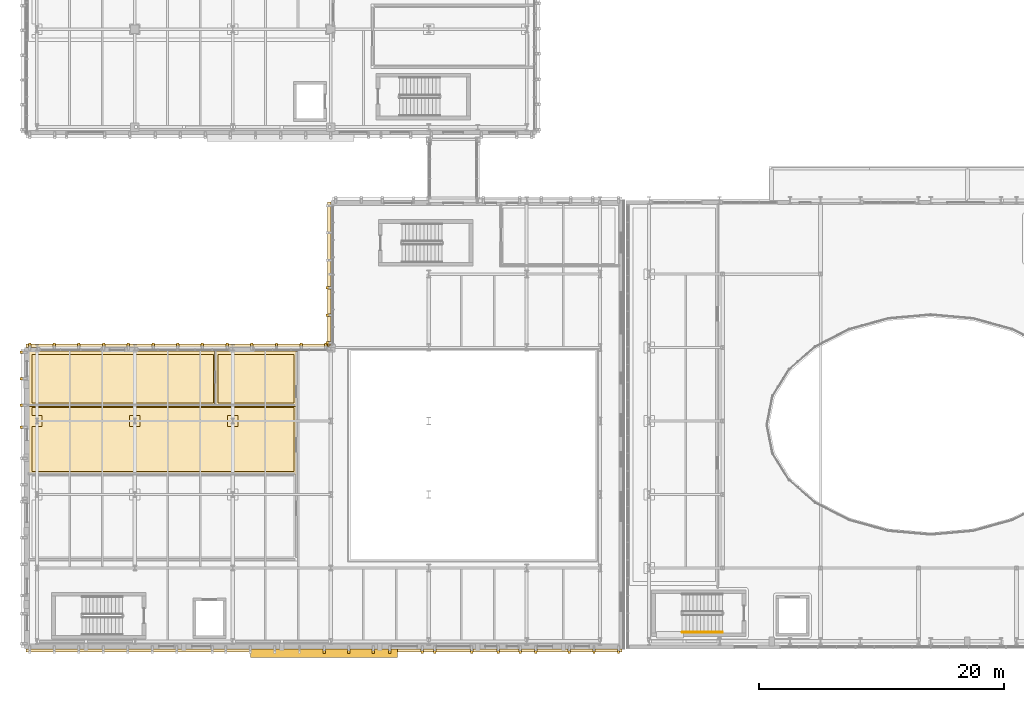
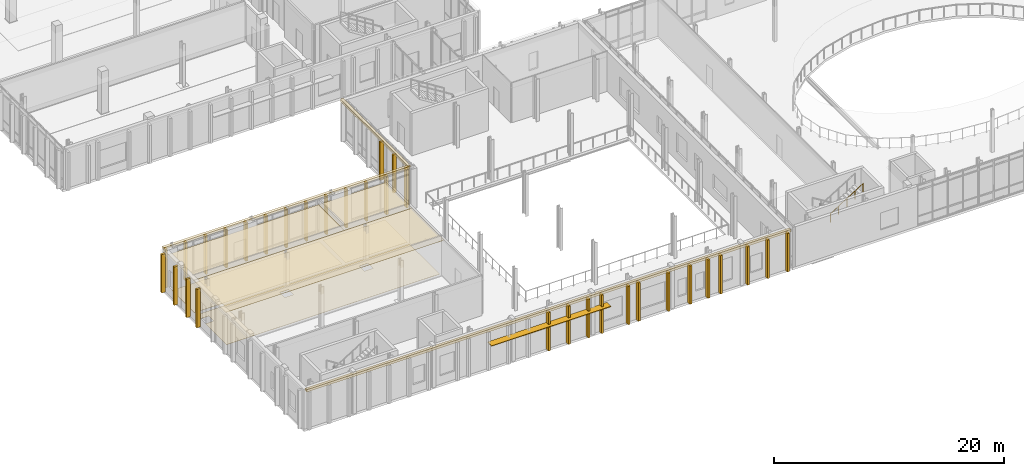
# One storey, part 80 of 100: 42 coverings, 1 railing, 1 shading device.
"""IFC4 building model written with IfcOpenShell, lengths in metres."""

from ifc_helpers import new_model, si_unit, direction, frame, origin, origin_2d, place, context, subcontext, project, spatial, polyline, rectangle, circle, outline, extrude, material, layer, layer_set, type_object, element, save


model = new_model("IFC4")

# Units and contexts
model_context = context("Model", 3, precision=1e-05, world=origin(), true_north=direction((0.0, 1.0)))
body_context = subcontext(model_context, "Body", "Model", "MODEL_VIEW")
ifc_project = project(units=[si_unit("LENGTHUNIT", "METRE"), si_unit("AREAUNIT", "SQUARE_METRE"), si_unit("VOLUMEUNIT", "CUBIC_METRE"), si_unit("PLANEANGLEUNIT", "RADIAN"), si_unit("MASSUNIT", "GRAM", prefix="KILO")], contexts=[model_context])

# Site, building, storey
site_placement = place(None, origin())
site = spatial("IfcSite", under=ifc_project, at=site_placement, CompositionType="ELEMENT")
building_placement = place(site_placement, origin())
building = spatial("IfcBuilding", under=site, at=building_placement, Name="Cymarion Research Institute", CompositionType="ELEMENT")
storey_placement = place(building_placement, frame((0.0, 0.0, 4.800048828125)))
storey = spatial("IfcBuildingStorey", under=building, at=storey_placement, Name="L01", CompositionType="ELEMENT", Elevation=4.800048828125)

# Coverings
ifc_material_1 = material(Name="Micro-perforated mineral acoustic ceiling tile", Category="gypsum")
ifc_layer_1 = layer(ifc_material_1, 0.030029296875)
ifc_layer_set_1 = layer_set([ifc_layer_1], Name="Micro-perforated mineral acoustic ceiling tile")
covering_type_1 = type_object("IfcCoveringType", Name="ACOUSTIC MICRO-PERFORATED SUSPENDED CEILING CLG-01", PredefinedType="CEILING", material=ifc_layer_set_1)
covering_1_placement = place(storey_placement, frame((0.0, 0.0, 3.699951171875)))
element("IfcCovering", 1, at=covering_1_placement, inside=storey, type_object=covering_type_1, Name="L01 L01 Computational & Optics Teaching Lab B acoustic ceiling", PredefinedType="CEILING", context=body_context, shape_type="SweptSolid", body=[
    extrude(outline(polyline([(27.9150390625, 24.9150390625), (27.9150390625, 19.0849609375), (5.885009765625, 19.0849609375), (5.885009765625, 24.9150390625), (27.9150390625, 24.9150390625)])), origin(), (0.0, 0.0, 1.0), 0.030029296875),
])
covering_2_placement = place(storey_placement, frame((0.0, 0.0, 3.699951171875)))
element("IfcCovering", 2, at=covering_2_placement, inside=storey, type_object=covering_type_1, Name="L01 L01 Symposium Cloakroom & Teaching Prep Store acoustic ceiling", PredefinedType="CEILING", context=body_context, shape_type="SweptSolid", body=[
    extrude(outline(polyline([(21.31494140625, 29.215087890625), (21.31494140625, 24.68505859375), (5.885009765625, 24.68505859375), (5.885009765625, 29.215087890625), (21.31494140625, 29.215087890625)])), origin(), (0.0, 0.0, 1.0), 0.030029296875),
])
covering_3_placement = place(storey_placement, frame((0.0, 0.0, 3.699951171875)))
element("IfcCovering", 3, at=covering_3_placement, inside=storey, type_object=covering_type_1, Name="L01 L01 V3 Accessible WC acoustic ceiling", PredefinedType="CEILING", context=body_context, shape_type="SweptSolid", body=[
    extrude(outline(polyline([(27.9150390625, 29.215087890625), (27.9150390625, 24.68505859375), (21.0849609375, 24.68505859375), (21.0849609375, 29.215087890625), (27.9150390625, 29.215087890625)])), origin(), (0.0, 0.0, 1.0), 0.030029296875),
])

# Shading device
ifc_material_2 = material(Name="Anodised aluminium aerofoil sunshade", Category="aluminium")
ifc_layer_2 = layer(ifc_material_2, 0.06005859375)
ifc_layer_set_2 = layer_set([ifc_layer_2], Name="Anodised aluminium aerofoil sunshade")
shading_device_type = type_object("IfcShadingDeviceType", Name="ANODISED ALUMINIUM HORIZONTAL SUNSHADE SHD1 700MM", PredefinedType="AWNING", material=ifc_layer_set_2)
shading_device_placement = place(storey_placement, frame((30.050048828125, 4.548095703125, 2.7900390625), z_axis=(0.0, 0.0, 1.0), x_axis=(0.0, -1.0, 0.0)))
element("IfcShadingDevice", 4, at=shading_device_placement, inside=storey, type_object=shading_device_type, Name="L01 V3 south aluminium sunshade SHD1 #1", PredefinedType="AWNING", context=body_context, shape_type="SweptSolid", body=[
    extrude(rectangle(XDim=0.699951171875, YDim=12.0, at=origin_2d()), origin(), (0.0, 0.0, 1.0), 0.06005859375),
])

# Coverings
ifc_material_3 = material(Name="Precast concrete C45/55 architectural white", Category="concrete")
ifc_layer_3 = layer(ifc_material_3, 0.260009765625)
ifc_layer_set_3 = layer_set([ifc_layer_3], Name="Precast concrete C45/55 architectural white")
covering_type_2 = type_object("IfcCoveringType", Name="SCULPTURAL WHITE PRECAST CONCRETE SPANDREL BROW BAND RIB2 280MM", PredefinedType="CLADDING", material=ifc_layer_set_3)
covering_4_placement = place(storey_placement, frame((30.050048828125, 4.758056640625, 4.08984375), z_axis=(0.0, 0.0, 1.0), x_axis=(0.0, -1.0, 0.0)))
element("IfcCovering", 5, at=covering_4_placement, inside=storey, type_object=covering_type_2, Name="L01 V3 precast spandrel brow band RIB2 #218", PredefinedType="CLADDING", context=body_context, shape_type="SweptSolid", body=[
    extrude(rectangle(XDim=0.280029296875, YDim=48.659912109375, at=origin_2d()), origin(), (0.0, 0.0, 1.0), 0.260009765625),
])
covering_5_placement = place(storey_placement, frame((30.4580078125, 35.5, 4.08984375), z_axis=(0.0, 0.0, 1.0), x_axis=(-1.0, 0.0, 0.0)))
element("IfcCovering", 6, at=covering_5_placement, inside=storey, type_object=covering_type_2, Name="L01 V3 precast spandrel brow band RIB2 #255", PredefinedType="CLADDING", context=body_context, shape_type="SweptSolid", body=[
    extrude(rectangle(XDim=0.280029296875, YDim=11.760009765625, at=origin_2d()), origin(), (0.0, 0.0, 1.0), 0.260009765625),
])
covering_6_placement = place(storey_placement, frame((18.10009765625, 29.64208984375, 4.08984375), z_axis=(0.0, 0.0, 1.0), x_axis=(0.0, 1.0, 0.0)))
element("IfcCovering", 7, at=covering_6_placement, inside=storey, type_object=covering_type_2, Name="L01 V3 precast spandrel brow band RIB2 #262", PredefinedType="CLADDING", context=body_context, shape_type="SweptSolid", body=[
    extrude(rectangle(XDim=0.280029296875, YDim=24.760009765625, at=origin_2d()), origin(), (0.0, 0.0, 1.0), 0.260009765625),
])
ifc_layer_4 = layer(ifc_material_3, 0.199951171875)
ifc_layer_set_4 = layer_set([ifc_layer_4], Name="Precast concrete C45/55 architectural white")
covering_type_3 = type_object("IfcCoveringType", Name="SCULPTURAL WHITE PRECAST CONCRETE VERTICAL RIB RIB1 380X200", PredefinedType="CLADDING", material=ifc_layer_set_4)
for number, where, z_axis, x_axis, name in (
    (8, (30.050048828125, 4.7080078125, 0.009765625), (0.0, 0.0, 1.0), (0.0, -1.0, 0.0), "L01 V3 sculptural precast vertical rib RIB1 #231"),
    (9, (32.05419921875, 4.7080078125, 0.009765625), (0.0, 0.0, 1.0), (0.0, -1.0, 0.0), "L01 V3 sculptural precast vertical rib RIB1 #232"),
    (10, (34.058349609375, 4.7080078125, 0.009765625), (0.0, 0.0, 1.0), (0.0, -1.0, 0.0), "L01 V3 sculptural precast vertical rib RIB1 #233"),
    (11, (35.39990234375, 4.7080078125, 0.009765625), (0.0, 0.0, 1.0), (0.0, -1.0, 0.0), "L01 V3 sculptural precast vertical rib RIB1 #234"),
    (12, (38.066650390625, 4.7080078125, 0.009765625), (0.0, 0.0, 1.0), (0.0, -1.0, 0.0), "L01 V3 sculptural precast vertical rib RIB1 #235"),
    (13, (39.10009765625, 4.7080078125, 0.009765625), (0.0, 0.0, 1.0), (0.0, -1.0, 0.0), "L01 V3 sculptural precast vertical rib RIB1 #236"),
    (14, (42.10009765625, 4.7080078125, 0.009765625), (0.0, 0.0, 1.0), (0.0, -1.0, 0.0), "L01 V3 sculptural precast vertical rib RIB1 #237"),
    (15, (44.27001953125, 4.7080078125, 0.009765625), (0.0, 0.0, 1.0), (0.0, -1.0, 0.0), "L01 V3 sculptural precast vertical rib RIB1 #238"),
    (16, (46.083251953125, 4.7080078125, 0.009765625), (0.0, 0.0, 1.0), (0.0, -1.0, 0.0), "L01 V3 sculptural precast vertical rib RIB1 #239"),
    (17, (47.35009765625, 4.7080078125, 0.009765625), (0.0, 0.0, 1.0), (0.0, -1.0, 0.0), "L01 V3 sculptural precast vertical rib RIB1 #240"),
    (18, (50.091796875, 4.7080078125, 0.009765625), (0.0, 0.0, 1.0), (0.0, -1.0, 0.0), "L01 V3 sculptural precast vertical rib RIB1 #241"),
    (19, (52.095703125, 4.7080078125, 0.009765625), (0.0, 0.0, 1.0), (0.0, -1.0, 0.0), "L01 V3 sculptural precast vertical rib RIB1 #242"),
    (20, (54.10009765625, 4.7080078125, 0.009765625), (0.0, 0.0, 1.0), (0.0, -1.0, 0.0), "L01 V3 sculptural precast vertical rib RIB1 #243"),
    (21, (30.407958984375, 34.3798828125, 0.009765625), (0.0, 0.0, 1.0), (-1.0, 0.0, 0.0), "L01 V3 sculptural precast vertical rib RIB1 #259"),
    (22, (30.407958984375, 32.139892578125, 0.009765625), (0.0, 0.0, 1.0), (-1.0, 0.0, 0.0), "L01 V3 sculptural precast vertical rib RIB1 #260"),
    (23, (30.407958984375, 29.89990234375, 0.009765625), (0.0, 0.0, 1.0), (-1.0, 0.0, 0.0), "L01 V3 sculptural precast vertical rib RIB1 #261"),
    (24, (30.199951171875, 29.69189453125, 0.009765625), (0.0, 0.0, 1.0), (0.0, 1.0, 0.0), "L01 V3 sculptural precast vertical rib RIB1 #263"),
    (25, (28.183349609375, 29.69189453125, 0.009765625), (0.0, 0.0, 1.0), (0.0, 1.0, 0.0), "L01 V3 sculptural precast vertical rib RIB1 #264"),
    (26, (26.166748046875, 29.69189453125, 0.009765625), (0.0, 0.0, 1.0), (0.0, 1.0, 0.0), "L01 V3 sculptural precast vertical rib RIB1 #265"),
    (27, (24.14990234375, 29.69189453125, 0.009765625), (0.0, 0.0, 1.0), (0.0, 1.0, 0.0), "L01 V3 sculptural precast vertical rib RIB1 #266"),
    (28, (22.13330078125, 29.69189453125, 0.009765625), (0.0, 0.0, 1.0), (0.0, 1.0, 0.0), "L01 V3 sculptural precast vertical rib RIB1 #267"),
    (29, (20.11669921875, 29.69189453125, 0.009765625), (0.0, 0.0, 1.0), (0.0, 1.0, 0.0), "L01 V3 sculptural precast vertical rib RIB1 #268"),
    (30, (18.10009765625, 29.69189453125, 0.009765625), (0.0, 0.0, 1.0), (0.0, 1.0, 0.0), "L01 V3 sculptural precast vertical rib RIB1 #269"),
    (31, (16.083251953125, 29.69189453125, 0.009765625), (0.0, 0.0, 1.0), (0.0, 1.0, 0.0), "L01 V3 sculptural precast vertical rib RIB1 #270"),
    (32, (14.066650390625, 29.69189453125, 0.009765625), (0.0, 0.0, 1.0), (0.0, 1.0, 0.0), "L01 V3 sculptural precast vertical rib RIB1 #271"),
    (33, (12.050048828125, 29.69189453125, 0.009765625), (0.0, 0.0, 1.0), (0.0, 1.0, 0.0), "L01 V3 sculptural precast vertical rib RIB1 #272"),
    (34, (10.033203125, 29.69189453125, 0.009765625), (0.0, 0.0, 1.0), (0.0, 1.0, 0.0), "L01 V3 sculptural precast vertical rib RIB1 #273"),
    (35, (8.0166015625, 29.69189453125, 0.009765625), (0.0, 0.0, 1.0), (0.0, 1.0, 0.0), "L01 V3 sculptural precast vertical rib RIB1 #274"),
    (36, (6.0, 29.69189453125, 0.009765625), (0.0, 0.0, 1.0), (0.0, 1.0, 0.0), "L01 V3 sculptural precast vertical rib RIB1 #275"),
    (37, (5.407958984375, 29.10009765625, 0.009765625), (0.0, 0.0, 1.0), (-1.0, 0.0, 0.0), "L01 V3 sculptural precast vertical rib RIB1 #277"),
    (38, (5.407958984375, 26.936279296875, 0.009765625), (0.0, 0.0, 1.0), (-1.0, 0.0, 0.0), "L01 V3 sculptural precast vertical rib RIB1 #278"),
    (39, (5.407958984375, 24.772705078125, 0.009765625), (0.0, 0.0, 1.0), (-1.0, 0.0, 0.0), "L01 V3 sculptural precast vertical rib RIB1 #279"),
    (40, (5.407958984375, 22.97998046875, 0.009765625), (0.0, 0.0, 1.0), (-1.0, 0.0, 0.0), "L01 V3 sculptural precast vertical rib RIB1 #280"),
):
    element("IfcCovering", number, at=place(storey_placement, frame(where, z_axis=z_axis, x_axis=x_axis)), inside=storey, type_object=covering_type_3, Name=name, PredefinedType="CLADDING", context=body_context, shape_type="SweptSolid", body=[
        extrude(rectangle(XDim=0.3798828125, YDim=0.199951171875, at=origin_2d()), origin(), (0.0, 0.0, 1.0), 4.074951171875),
    ])
ifc_material_4 = material(Name="Seamless dissipative epoxy resin flooring", Category="resin")
ifc_layer_5 = layer(ifc_material_4, 0.02001953125)
ifc_layer_set_5 = layer_set([ifc_layer_5], Name="Seamless dissipative epoxy resin flooring")
covering_type_4 = type_object("IfcCoveringType", Name="SEAMLESS ESD EPOXY LABORATORY FLOORING FLR-01", PredefinedType="FLOORING", material=ifc_layer_set_5)
covering_7_placement = place(storey_placement, origin())
element("IfcCovering", 41, at=covering_7_placement, inside=storey, type_object=covering_type_4, Name="L01 L01 Computational & Optics Teaching Lab B ESD epoxy flooring", PredefinedType="FLOORING", context=body_context, shape_type="SweptSolid", body=[
    extrude(outline(polyline([(6.18505859375, 23.06494140625), (7.034912109375, 23.06494140625), (7.034912109375, 23.93505859375), (6.18505859375, 23.93505859375), (6.18505859375, 24.614990234375), (27.614990234375, 24.614990234375), (27.614990234375, 19.385009765625), (6.18505859375, 19.385009765625), (6.18505859375, 23.06494140625)]), holes=[polyline([(23.034912109375, 23.93505859375), (22.1650390625, 23.93505859375), (22.1650390625, 23.06494140625), (23.034912109375, 23.06494140625), (23.034912109375, 23.93505859375)]), polyline([(15.034912109375, 23.93505859375), (14.1650390625, 23.93505859375), (14.1650390625, 23.06494140625), (15.034912109375, 23.06494140625), (15.034912109375, 23.93505859375)])]), origin(), (0.0, 0.0, 1.0), 0.02001953125),
])
covering_8_placement = place(storey_placement, origin())
element("IfcCovering", 42, at=covering_8_placement, inside=storey, type_object=covering_type_4, Name="L01 L01 Symposium Cloakroom & Teaching Prep Store ESD epoxy flooring", PredefinedType="FLOORING", context=body_context, shape_type="SweptSolid", body=[
    extrude(outline(polyline([(6.18505859375, 28.9150390625), (21.014892578125, 28.9150390625), (21.014892578125, 24.985107421875), (6.18505859375, 24.985107421875), (6.18505859375, 28.9150390625)])), origin(), (0.0, 0.0, 1.0), 0.02001953125),
])
covering_9_placement = place(storey_placement, origin())
element("IfcCovering", 43, at=covering_9_placement, inside=storey, type_object=covering_type_4, Name="L01 L01 V3 Accessible WC ESD epoxy flooring", PredefinedType="FLOORING", context=body_context, shape_type="SweptSolid", body=[
    extrude(outline(polyline([(21.385009765625, 28.9150390625), (27.614990234375, 28.9150390625), (27.614990234375, 24.985107421875), (21.385009765625, 24.985107421875), (21.385009765625, 28.9150390625)])), origin(), (0.0, 0.0, 1.0), 0.02001953125),
])

# Railing
ifc_material_5 = material(Name="Steel S355", Category="steel")
railing_type = type_object("IfcRailingType", Name="STAINLESS STEEL STAIR HANDRAIL HR1 900MM", PredefinedType="HANDRAIL", material=ifc_material_5)
railing_placement = place(storey_placement, frame((59.300048828125, 6.25, 2.4375)))
element("IfcRailing", 44, at=railing_placement, inside=storey, type_object=railing_type, Name="L01 ST3 stair handrail 2", PredefinedType="HANDRAIL", context=body_context, shape_type="SweptSolid", body=[
    extrude(circle(Radius=0.02392578125, at=origin_2d()), frame((0.0, 0.0, 0.8759765625), z_axis=(0.848001828478, 0.0, 0.529993300805), x_axis=(0.0, 1.0, 0.0)), (0.0, 0.0, 1.0), 3.8916015625),
    extrude(circle(Radius=0.02099609375, at=origin_2d()), origin(), (0.0, 0.0, 1.0), 0.851806640625),
    extrude(circle(Radius=0.02099609375, at=origin_2d()), frame((0.824951171875, 0.0, 0.515625)), (0.0, 0.0, 1.0), 0.851806640625),
    extrude(circle(Radius=0.02099609375, at=origin_2d()), frame((1.64990234375, 0.0, 1.03125)), (0.0, 0.0, 1.0), 0.851806640625),
    extrude(circle(Radius=0.02099609375, at=origin_2d()), frame((2.47509765625, 0.0, 1.546875)), (0.0, 0.0, 1.0), 0.851806640625),
    extrude(circle(Radius=0.02099609375, at=origin_2d()), frame((3.300048828125, 0.0, 2.0625)), (0.0, 0.0, 1.0), 0.851806640625),
])

save(model, "model.ifc")
